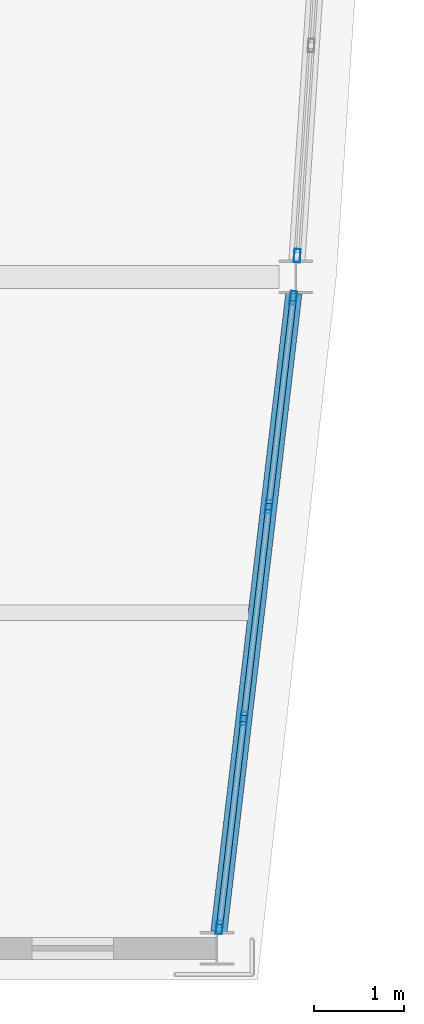
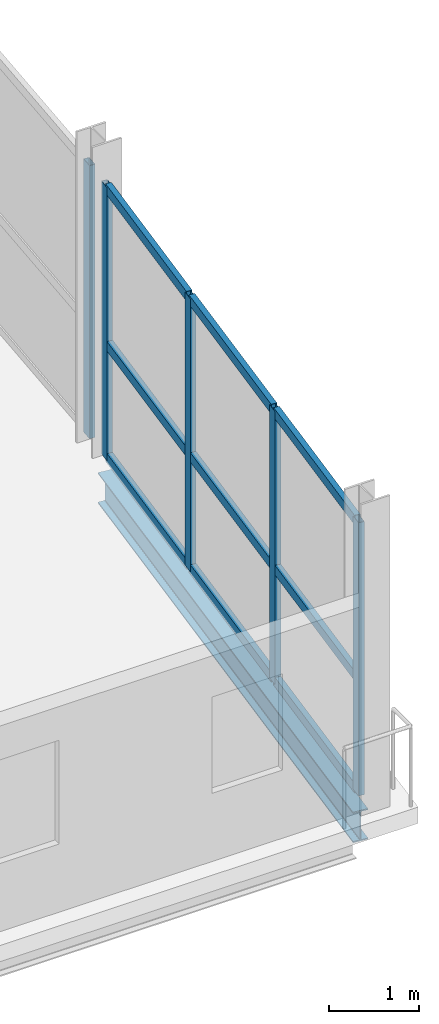
# One storey, part 2 of 20: 14 members, 1 beam, 2 elements without a shape of their own.
"""IFC4 building model written with IfcOpenShell, lengths in metres."""

from ifc_helpers import new_model, si_unit, direction, frame, origin, origin_2d, place, context, subcontext, project, spatial, hollow_rectangle, i_section, extrude, material, layer, layer_set, material_profile, profile_set, type_object, element, aggregate, save


model = new_model("IFC4")

# Units and contexts
model_context = context("Model", 3, precision=1e-05, world=origin(), true_north=direction((0.0, 1.0)))
body_context = subcontext(model_context, "Body", "Model", "MODEL_VIEW")
ifc_project = project(units=[si_unit("LENGTHUNIT", "METRE"), si_unit("AREAUNIT", "SQUARE_METRE"), si_unit("VOLUMEUNIT", "CUBIC_METRE"), si_unit("PLANEANGLEUNIT", "RADIAN"), si_unit("MASSUNIT", "GRAM", prefix="KILO")], contexts=[model_context])

# Site, building, storey
site_placement = place(None, origin())
site = spatial("IfcSite", under=ifc_project, at=site_placement, CompositionType="ELEMENT")
building_placement = place(site_placement, origin())
building = spatial("IfcBuilding", under=site, at=building_placement, Name="Quillay Park Conservatory", CompositionType="ELEMENT")
storey_placement = place(building_placement, frame((0.0, 0.0, 30.89990234375)))
storey = spatial("IfcBuildingStorey", under=building, at=storey_placement, Name="L07", CompositionType="ELEMENT", Elevation=30.89990234375)

# Curtain wall, members
ifc_material_1 = material(Name="Thermally Broken Anodised Aluminium 6063-T6", Category="aluminium")
ifc_layer = layer(ifc_material_1, 0.199951171875)
ifc_layer_set = layer_set([ifc_layer], Name="UNITISED CURTAIN WALL HERBARIUM (Thermally Broken Anodised Aluminium 6063-T6)")
curtain_wall_type = type_object("IfcCurtainWallType", Name="UNITISED CURTAIN WALL HERBARIUM", PredefinedType="USERDEFINED", material=ifc_layer_set)
curtain_wall_1_placement = place(storey_placement, origin())
curtain_wall_1 = element("IfcCurtainWall", 1, at=curtain_wall_1_placement, inside=storey, type_object=curtain_wall_type, Name="L07 Unitised Curtain Wall 068", ObjectType="UNITISED CURTAIN WALL", PredefinedType="USERDEFINED")
ifc_material_2 = material(Name="Thermally Broken Anodised Aluminium 6063-T6", Category="aluminium")
ifc_material_profile_1 = material_profile(ifc_material_2, hollow_rectangle(XDim=0.070068359375, YDim=0.14990234375, WallThickness=0.00341796875, at=origin_2d()), Name="AL70x150x3.5")
ifc_profile_set_1 = profile_set([ifc_material_profile_1], Name="Thermally Broken Anodised Aluminium 6063-T6")
member_type_1 = type_object("IfcMemberType", Name="CURTAIN WALL MULLION 70 X150", PredefinedType="MULLION", material=ifc_profile_set_1)
member_1_placement = place(storey_placement, frame((27.397705078125, 70.2666015625, 0.0), z_axis=(0.0, 0.0, 1.0), x_axis=(0.993172502804, -0.116654959918, 0.0)))
member_1 = element("IfcMember", 2, at=member_1_placement, type_object=member_type_1, Name="CW-T2 mullion 1", PredefinedType="MULLION", context=body_context, shape_type="SweptSolid", body=[
    extrude(hollow_rectangle(XDim=0.070068359375, YDim=0.14990234375, WallThickness=0.00341796875, at=origin_2d()), origin(), (0.0, 0.0, 1.0), 3.68701171875),
])
member_2_placement = place(storey_placement, frame((27.12548828125, 67.950439453125, 0.0), z_axis=(0.0, 0.0, 1.0), x_axis=(0.993172502804, -0.116654959918, 0.0)))
member_2 = element("IfcMember", 3, at=member_2_placement, type_object=member_type_1, Name="CW-T2 mullion 2", PredefinedType="MULLION", context=body_context, shape_type="SweptSolid", body=[
    extrude(hollow_rectangle(XDim=0.070068359375, YDim=0.14990234375, WallThickness=0.00341796875, at=origin_2d()), origin(), (0.0, 0.0, 1.0), 3.68701171875),
])
member_3_placement = place(storey_placement, frame((26.849365234375, 65.599609375, 0.0), z_axis=(0.0, 0.0, 1.0), x_axis=(0.993172502804, -0.116654959918, 0.0)))
member_3 = element("IfcMember", 4, at=member_3_placement, type_object=member_type_1, Name="CW-T2 mullion 3", PredefinedType="MULLION", context=body_context, shape_type="SweptSolid", body=[
    extrude(hollow_rectangle(XDim=0.070068359375, YDim=0.14990234375, WallThickness=0.00341796875, at=origin_2d()), origin(), (0.0, 0.0, 1.0), 3.68701171875),
])
member_4_placement = place(storey_placement, frame((26.577392578125, 63.283447265625, 0.0), z_axis=(0.0, 0.0, 1.0), x_axis=(0.993172502804, -0.116654959918, 0.0)))
member_4 = element("IfcMember", 5, at=member_4_placement, type_object=member_type_1, Name="CW-T2 mullion 4", PredefinedType="MULLION", context=body_context, shape_type="SweptSolid", body=[
    extrude(hollow_rectangle(XDim=0.070068359375, YDim=0.14990234375, WallThickness=0.00341796875, at=origin_2d()), origin(), (0.0, 0.0, 1.0), 3.68701171875),
])

# Curtain wall, member
curtain_wall_2_placement = place(storey_placement, origin())
curtain_wall_2 = element("IfcCurtainWall", 6, at=curtain_wall_2_placement, inside=storey, type_object=curtain_wall_type, Name="L07 Unitised Curtain Wall 069", ObjectType="UNITISED CURTAIN WALL", PredefinedType="USERDEFINED")
member_5_placement = place(storey_placement, frame((27.440673828125, 70.734619140625, 0.0), z_axis=(0.0, 0.0, 1.0), x_axis=(0.997785033503, -0.0665208758, 0.0)))
member_5 = element("IfcMember", 7, at=member_5_placement, type_object=member_type_1, Name="CW-T2 mullion 4", PredefinedType="MULLION", context=body_context, shape_type="SweptSolid", body=[
    extrude(hollow_rectangle(XDim=0.070068359375, YDim=0.14990234375, WallThickness=0.00341796875, at=origin_2d()), origin(), (0.0, 0.0, 1.0), 3.68701171875),
])
aggregate(curtain_wall_2, [member_5])

# Member
ifc_material_3 = material(Name="Thermally Broken Anodised Aluminium 6063-T6", Category="aluminium")
ifc_material_profile_2 = material_profile(ifc_material_3, hollow_rectangle(XDim=0.070068359375, YDim=0.1298828125, WallThickness=0.003173828125, at=origin_2d()), Name="AL70x130x3.2")
ifc_profile_set_2 = profile_set([ifc_material_profile_2], Name="Thermally Broken Anodised Aluminium 6063-T6")
member_type_2 = type_object("IfcMemberType", Name="CURTAIN WALL TRANSOM 70 X130", PredefinedType="USERDEFINED", material=ifc_profile_set_2)
member_6_placement = place(storey_placement, frame((27.3935546875, 70.23193359375, 0.03515625), z_axis=(-0.116659662976, -0.993171950386, 0.0), x_axis=(0.993171950386, -0.116659662976, 0.0)))
member_6 = element("IfcMember", 8, at=member_6_placement, type_object=member_type_2, Name="CW-T2 transom 1.1", ObjectType="TRANSOM", PredefinedType="USERDEFINED", context=body_context, shape_type="SweptSolid", body=[
    extrude(hollow_rectangle(XDim=0.070068359375, YDim=0.1298828125, WallThickness=0.003173828125, at=origin_2d()), origin(), (0.0, 0.0, 1.0), 2.26220703125),
])

member_7_placement = place(storey_placement, frame((27.3935546875, 70.23193359375, 1.548583984375), z_axis=(-0.116659662976, -0.993171950386, 0.0), x_axis=(0.993171950386, -0.116659662976, 0.0)))
member_7 = element("IfcMember", 9, at=member_7_placement, type_object=member_type_2, Name="CW-T2 transom 1.2", ObjectType="TRANSOM", PredefinedType="USERDEFINED", context=body_context, shape_type="SweptSolid", body=[
    extrude(hollow_rectangle(XDim=0.070068359375, YDim=0.1298828125, WallThickness=0.003173828125, at=origin_2d()), origin(), (0.0, 0.0, 1.0), 2.26220703125),
])

member_8_placement = place(storey_placement, frame((27.3935546875, 70.23193359375, 3.652099609375), z_axis=(-0.116659662976, -0.993171950386, 0.0), x_axis=(0.993171950386, -0.116659662976, 0.0)))
member_8 = element("IfcMember", 10, at=member_8_placement, type_object=member_type_2, Name="CW-T2 transom 1.3", ObjectType="TRANSOM", PredefinedType="USERDEFINED", context=body_context, shape_type="SweptSolid", body=[
    extrude(hollow_rectangle(XDim=0.070068359375, YDim=0.1298828125, WallThickness=0.003173828125, at=origin_2d()), origin(), (0.0, 0.0, 1.0), 2.26220703125),
])

member_9_placement = place(storey_placement, frame((27.12158203125, 67.915771484375, 0.03515625), z_axis=(-0.116693255048, -0.993168004029, 0.0), x_axis=(0.993168004029, -0.116693255048, 0.0)))
member_9 = element("IfcMember", 11, at=member_9_placement, type_object=member_type_2, Name="CW-T2 transom 2.1", ObjectType="TRANSOM", PredefinedType="USERDEFINED", context=body_context, shape_type="SweptSolid", body=[
    extrude(hollow_rectangle(XDim=0.070068359375, YDim=0.1298828125, WallThickness=0.003173828125, at=origin_2d()), origin(), (0.0, 0.0, 1.0), 2.297119140625),
])

member_10_placement = place(storey_placement, frame((27.12158203125, 67.915771484375, 1.548583984375), z_axis=(-0.116693255048, -0.993168004029, 0.0), x_axis=(0.993168004029, -0.116693255048, 0.0)))
member_10 = element("IfcMember", 12, at=member_10_placement, type_object=member_type_2, Name="CW-T2 transom 2.2", ObjectType="TRANSOM", PredefinedType="USERDEFINED", context=body_context, shape_type="SweptSolid", body=[
    extrude(hollow_rectangle(XDim=0.070068359375, YDim=0.1298828125, WallThickness=0.003173828125, at=origin_2d()), origin(), (0.0, 0.0, 1.0), 2.297119140625),
])

member_11_placement = place(storey_placement, frame((27.12158203125, 67.915771484375, 3.652099609375), z_axis=(-0.116693255048, -0.993168004029, 0.0), x_axis=(0.993168004029, -0.116693255048, 0.0)))
member_11 = element("IfcMember", 13, at=member_11_placement, type_object=member_type_2, Name="CW-T2 transom 2.3", ObjectType="TRANSOM", PredefinedType="USERDEFINED", context=body_context, shape_type="SweptSolid", body=[
    extrude(hollow_rectangle(XDim=0.070068359375, YDim=0.1298828125, WallThickness=0.003173828125, at=origin_2d()), origin(), (0.0, 0.0, 1.0), 2.297119140625),
])

member_12_placement = place(storey_placement, frame((26.845458984375, 65.564697265625, 0.03515625), z_axis=(-0.116672168054, -0.993170481439, 0.0), x_axis=(0.993170481439, -0.116672168054, 0.0)))
member_12 = element("IfcMember", 14, at=member_12_placement, type_object=member_type_2, Name="CW-T2 transom 3.1", ObjectType="TRANSOM", PredefinedType="USERDEFINED", context=body_context, shape_type="SweptSolid", body=[
    extrude(hollow_rectangle(XDim=0.070068359375, YDim=0.1298828125, WallThickness=0.003173828125, at=origin_2d()), origin(), (0.0, 0.0, 1.0), 2.261962890625),
])

member_13_placement = place(storey_placement, frame((26.845458984375, 65.564697265625, 1.548583984375), z_axis=(-0.116672168054, -0.993170481439, 0.0), x_axis=(0.993170481439, -0.116672168054, 0.0)))
member_13 = element("IfcMember", 15, at=member_13_placement, type_object=member_type_2, Name="CW-T2 transom 3.2", ObjectType="TRANSOM", PredefinedType="USERDEFINED", context=body_context, shape_type="SweptSolid", body=[
    extrude(hollow_rectangle(XDim=0.070068359375, YDim=0.1298828125, WallThickness=0.003173828125, at=origin_2d()), origin(), (0.0, 0.0, 1.0), 2.261962890625),
])

member_14_placement = place(storey_placement, frame((26.845458984375, 65.564697265625, 3.652099609375), z_axis=(-0.116672168054, -0.993170481439, 0.0), x_axis=(0.993170481439, -0.116672168054, 0.0)))
member_14 = element("IfcMember", 16, at=member_14_placement, type_object=member_type_2, Name="CW-T2 transom 3.3", ObjectType="TRANSOM", PredefinedType="USERDEFINED", context=body_context, shape_type="SweptSolid", body=[
    extrude(hollow_rectangle(XDim=0.070068359375, YDim=0.1298828125, WallThickness=0.003173828125, at=origin_2d()), origin(), (0.0, 0.0, 1.0), 2.261962890625),
])

aggregate(curtain_wall_1, [member_1, member_2, member_3, member_4, member_6, member_7, member_8, member_9, member_10, member_11, member_12, member_13, member_14])

# Beam
ifc_material_4 = material(Name="Steel ASTM A992 Grade 50", Category="steel")
ifc_material_profile_3 = material_profile(ifc_material_4, i_section(OverallWidth=0.179931640625, OverallDepth=0.4130859375, WebThickness=0.009765625, FlangeThickness=0.01611328125, FilletRadius=0.011962890625, at=origin_2d()), Name="W410x74")
ifc_profile_set_3 = profile_set([ifc_material_profile_3], Name="Steel ASTM A992 Grade 50")
beam_type = type_object("IfcBeamType", Name="PERIMETER SPANDREL BEAM W410 X74", PredefinedType="SPANDREL", material=ifc_profile_set_3)
beam_placement = place(storey_placement, frame((26.57177734375, 63.234619140625, -0.426513671875), z_axis=(0.116638579995, 0.993174426602, 0.0), x_axis=(-0.993174426602, 0.116638579995, 0.0)))
element("IfcBeam", 17, at=beam_placement, inside=storey, type_object=beam_type, Name="L07 beam BM-SPE-0539", PredefinedType="SPANDREL", context=body_context, shape_type="SweptSolid", body=[
    extrude(i_section(OverallWidth=0.179931640625, OverallDepth=0.4130859375, WebThickness=0.009765625, FlangeThickness=0.01611328125, FilletRadius=0.011962890625, at=origin_2d()), origin(), (0.0, 0.0, 1.0), 7.129150390625),
])

save(model, "model.ifc")
